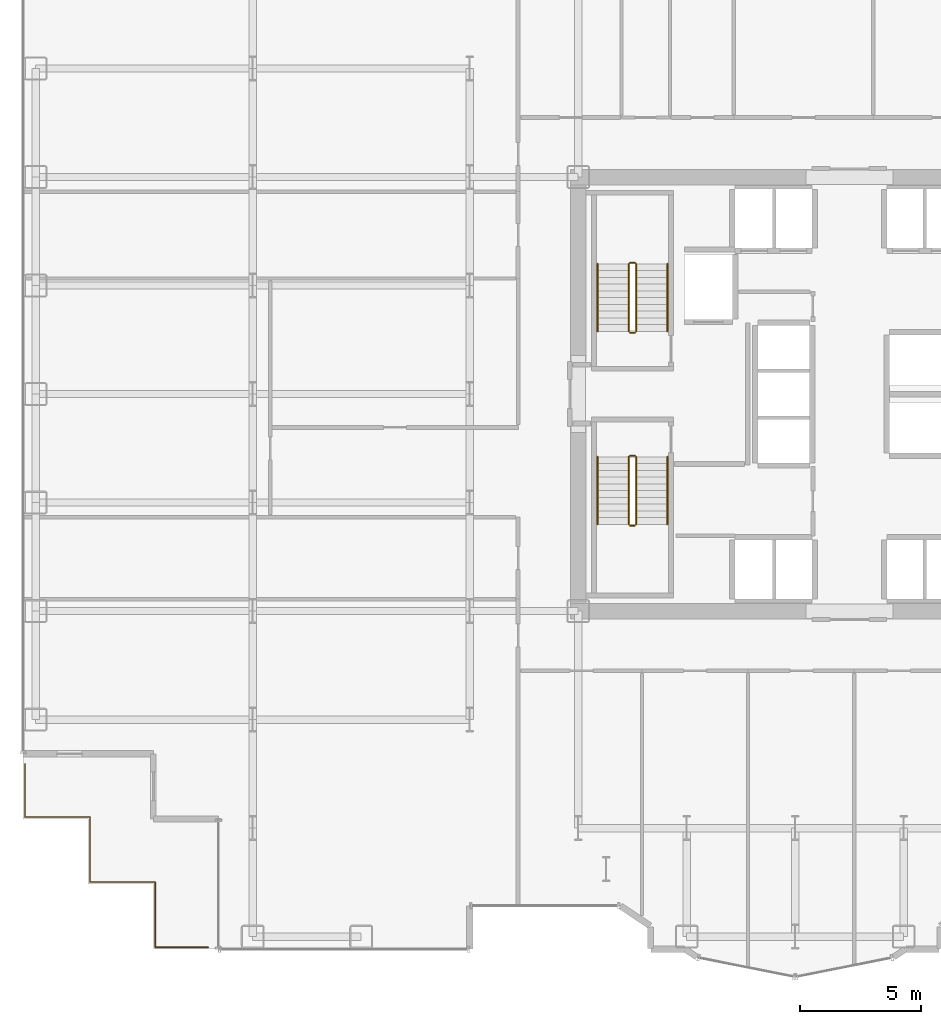
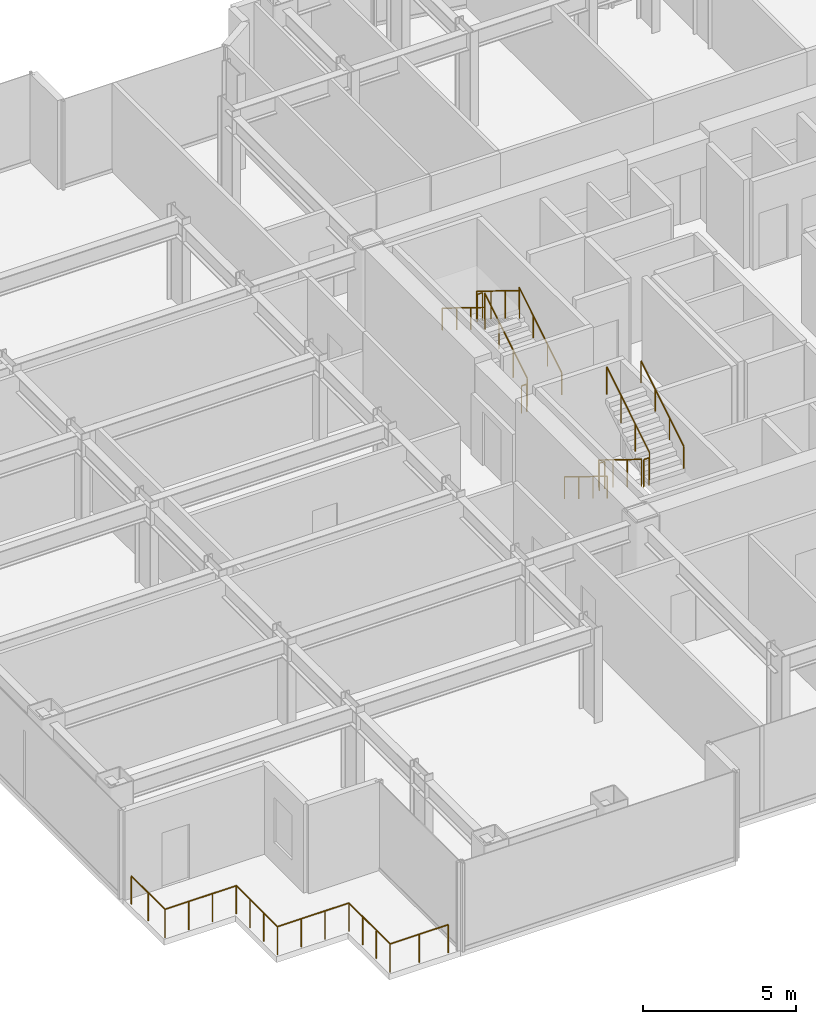
# One storey, part 26 of 27: 13 railings.
"""IFC4 building model written with IfcOpenShell, lengths in metres."""

from ifc_helpers import new_model, si_unit, direction, frame, origin, origin_2d, place, context, subcontext, project, spatial, circle, extrude, material, type_object, element, save


model = new_model("IFC4")

# Units and contexts
model_context = context("Model", 3, precision=1e-05, world=origin(), true_north=direction((0.0, 1.0)))
body_context = subcontext(model_context, "Body", "Model", "MODEL_VIEW")
ifc_project = project(units=[si_unit("LENGTHUNIT", "METRE"), si_unit("AREAUNIT", "SQUARE_METRE"), si_unit("VOLUMEUNIT", "CUBIC_METRE"), si_unit("PLANEANGLEUNIT", "RADIAN"), si_unit("MASSUNIT", "GRAM", prefix="KILO")], contexts=[model_context])

# Site, building, storey
site_placement = place(None, origin())
site = spatial("IfcSite", under=ifc_project, at=site_placement, CompositionType="ELEMENT")
building_placement = place(site_placement, origin())
building = spatial("IfcBuilding", under=site, at=building_placement, Name="Nefas-Gora Pilgrimage Tower", CompositionType="ELEMENT")
storey_placement = place(building_placement, frame((0.0, 0.0, 48.199951171875)))
storey = spatial("IfcBuildingStorey", under=building, at=storey_placement, Name="L10", CompositionType="ELEMENT", Elevation=48.199951171875)

# Railings
ifc_material_1 = material(Name="Painted galvanised steel", Category="steel")
railing_type_1 = type_object("IfcRailingType", Name="RLG-STR-GUARD-1100", PredefinedType="GUARDRAIL", material=ifc_material_1)
railing_1_placement = place(storey_placement, frame((-8.85009765625, 2.60009765625, 0.1728515625)))
element("IfcRailing", 1, at=railing_1_placement, inside=storey, type_object=railing_type_1, Name="L10 ST-01 stair guard 1", PredefinedType="GUARDRAIL", context=body_context, shape_type="SweptSolid", body=[
    extrude(circle(Radius=0.02392578125, at=origin_2d()), frame((0.0, 0.0, 1.09619140625), z_axis=(0.0, 0.851069175582, 0.525053576669), x_axis=(-1.0, 0.0, 0.0)), (0.0, 0.0, 1.0), 3.289794921875),
    extrude(circle(Radius=0.02099609375, at=origin_2d()), origin(), (0.0, 0.0, 1.0), 1.072021484375),
    extrude(circle(Radius=0.02099609375, at=origin_2d()), frame((0.0, 0.933349609375, 0.57568359375)), (0.0, 0.0, 1.0), 1.072021484375),
    extrude(circle(Radius=0.02099609375, at=origin_2d()), frame((0.0, 1.866455078125, 1.151611328125)), (0.0, 0.0, 1.0), 1.072021484375),
    extrude(circle(Radius=0.02099609375, at=origin_2d()), frame((0.0, 2.7998046875, 1.727294921875)), (0.0, 0.0, 1.0), 1.072021484375),
])
railing_2_placement = place(storey_placement, frame((-8.89990234375, 5.449951171875, 1.900146484375)))
element("IfcRailing", 2, at=railing_2_placement, inside=storey, type_object=railing_type_1, Name="L10 ST-01 stair guard 2", PredefinedType="GUARDRAIL", context=body_context, shape_type="SweptSolid", body=[
    extrude(circle(Radius=0.02392578125, at=origin_2d()), frame((0.0, 0.0, 1.09619140625), z_axis=(-1.0, 0.0, 0.0), x_axis=(0.0, -1.0, 0.0)), (0.0, 0.0, 1.0), 0.2001953125),
    extrude(circle(Radius=0.02099609375, at=origin_2d()), origin(), (0.0, 0.0, 1.0), 1.072021484375),
    extrude(circle(Radius=0.02099609375, at=origin_2d()), frame((-0.2001953125, 0.0, 0.0)), (0.0, 0.0, 1.0), 1.072021484375),
])
railing_3_placement = place(storey_placement, frame((-9.14990234375, 5.39990234375, 2.07275390625)))
element("IfcRailing", 3, at=railing_3_placement, inside=storey, type_object=railing_type_1, Name="L10 ST-01 stair guard 3", PredefinedType="GUARDRAIL", context=body_context, shape_type="SweptSolid", body=[
    extrude(circle(Radius=0.02392578125, at=origin_2d()), frame((0.0, 0.0, 1.09619140625), z_axis=(0.0, -0.851069175582, 0.525053576669), x_axis=(1.0, 0.0, 0.0)), (0.0, 0.0, 1.0), 3.289794921875),
    extrude(circle(Radius=0.02099609375, at=origin_2d()), origin(), (0.0, 0.0, 1.0), 1.072021484375),
    extrude(circle(Radius=0.02099609375, at=origin_2d()), frame((0.0, -0.933349609375, 0.57568359375)), (0.0, 0.0, 1.0), 1.072021484375),
    extrude(circle(Radius=0.02099609375, at=origin_2d()), frame((0.0, -1.866455078125, 1.151611328125)), (0.0, 0.0, 1.0), 1.072021484375),
    extrude(circle(Radius=0.02099609375, at=origin_2d()), frame((0.0, -2.7998046875, 1.727294921875)), (0.0, 0.0, 1.0), 1.072021484375),
])
railing_4_placement = place(storey_placement, frame((-8.89990234375, 2.550048828125, 0.0)))
element("IfcRailing", 4, at=railing_4_placement, inside=storey, type_object=railing_type_1, Name="L10 ST-01 stair guard 4", PredefinedType="GUARDRAIL", context=body_context, shape_type="SweptSolid", body=[
    extrude(circle(Radius=0.02392578125, at=origin_2d()), frame((0.0, 0.0, 1.09619140625), z_axis=(-1.0, 0.0, 0.0), x_axis=(0.0, -1.0, 0.0)), (0.0, 0.0, 1.0), 0.2001953125),
    extrude(circle(Radius=0.02099609375, at=origin_2d()), origin(), (0.0, 0.0, 1.0), 1.072021484375),
    extrude(circle(Radius=0.02099609375, at=origin_2d()), frame((-0.2001953125, 0.0, 0.0)), (0.0, 0.0, 1.0), 1.072021484375),
])
railing_5_placement = place(storey_placement, frame((-9.14990234375, -2.60009765625, 0.1728515625)))
element("IfcRailing", 5, at=railing_5_placement, inside=storey, type_object=railing_type_1, Name="L10 ST-03 stair guard 1", PredefinedType="GUARDRAIL", context=body_context, shape_type="SweptSolid", body=[
    extrude(circle(Radius=0.02392578125, at=origin_2d()), frame((0.0, 0.0, 1.09619140625), z_axis=(0.0, -0.851069175582, 0.525053576669), x_axis=(1.0, 0.0, 0.0)), (0.0, 0.0, 1.0), 3.289794921875),
    extrude(circle(Radius=0.02099609375, at=origin_2d()), origin(), (0.0, 0.0, 1.0), 1.072021484375),
    extrude(circle(Radius=0.02099609375, at=origin_2d()), frame((0.0, -0.933349609375, 0.57568359375)), (0.0, 0.0, 1.0), 1.072021484375),
    extrude(circle(Radius=0.02099609375, at=origin_2d()), frame((0.0, -1.866455078125, 1.151611328125)), (0.0, 0.0, 1.0), 1.072021484375),
    extrude(circle(Radius=0.02099609375, at=origin_2d()), frame((0.0, -2.7998046875, 1.727294921875)), (0.0, 0.0, 1.0), 1.072021484375),
])
railing_6_placement = place(storey_placement, frame((-9.10009765625, -5.449951171875, 1.900146484375)))
element("IfcRailing", 6, at=railing_6_placement, inside=storey, type_object=railing_type_1, Name="L10 ST-03 stair guard 2", PredefinedType="GUARDRAIL", context=body_context, shape_type="SweptSolid", body=[
    extrude(circle(Radius=0.02392578125, at=origin_2d()), frame((0.0, 0.0, 1.09619140625), z_axis=(1.0, 0.0, 0.0), x_axis=(0.0, 1.0, 0.0)), (0.0, 0.0, 1.0), 0.2001953125),
    extrude(circle(Radius=0.02099609375, at=origin_2d()), origin(), (0.0, 0.0, 1.0), 1.072021484375),
    extrude(circle(Radius=0.02099609375, at=origin_2d()), frame((0.2001953125, 0.0, 0.0)), (0.0, 0.0, 1.0), 1.072021484375),
])
railing_7_placement = place(storey_placement, frame((-8.85009765625, -5.39990234375, 2.07275390625)))
element("IfcRailing", 7, at=railing_7_placement, inside=storey, type_object=railing_type_1, Name="L10 ST-03 stair guard 3", PredefinedType="GUARDRAIL", context=body_context, shape_type="SweptSolid", body=[
    extrude(circle(Radius=0.02392578125, at=origin_2d()), frame((0.0, 0.0, 1.09619140625), z_axis=(0.0, 0.851069175582, 0.525053576669), x_axis=(-1.0, 0.0, 0.0)), (0.0, 0.0, 1.0), 3.289794921875),
    extrude(circle(Radius=0.02099609375, at=origin_2d()), origin(), (0.0, 0.0, 1.0), 1.072021484375),
    extrude(circle(Radius=0.02099609375, at=origin_2d()), frame((0.0, 0.933349609375, 0.57568359375)), (0.0, 0.0, 1.0), 1.072021484375),
    extrude(circle(Radius=0.02099609375, at=origin_2d()), frame((0.0, 1.866455078125, 1.151611328125)), (0.0, 0.0, 1.0), 1.072021484375),
    extrude(circle(Radius=0.02099609375, at=origin_2d()), frame((0.0, 2.7998046875, 1.727294921875)), (0.0, 0.0, 1.0), 1.072021484375),
])
railing_8_placement = place(storey_placement, frame((-9.10009765625, -2.550048828125, 0.0)))
element("IfcRailing", 8, at=railing_8_placement, inside=storey, type_object=railing_type_1, Name="L10 ST-03 stair guard 4", PredefinedType="GUARDRAIL", context=body_context, shape_type="SweptSolid", body=[
    extrude(circle(Radius=0.02392578125, at=origin_2d()), frame((0.0, 0.0, 1.09619140625), z_axis=(1.0, 0.0, 0.0), x_axis=(0.0, 1.0, 0.0)), (0.0, 0.0, 1.0), 0.2001953125),
    extrude(circle(Radius=0.02099609375, at=origin_2d()), origin(), (0.0, 0.0, 1.0), 1.072021484375),
    extrude(circle(Radius=0.02099609375, at=origin_2d()), frame((0.2001953125, 0.0, 0.0)), (0.0, 0.0, 1.0), 1.072021484375),
])
ifc_material_2 = material(Name="Brushed stainless steel", Category="steel")
railing_type_2 = type_object("IfcRailingType", Name="RLG-STR-HAND-900", PredefinedType="HANDRAIL", material=ifc_material_2)
railing_9_placement = place(storey_placement, frame((-7.550048828125, 2.60009765625, 0.1728515625)))
element("IfcRailing", 9, at=railing_9_placement, inside=storey, type_object=railing_type_2, Name="L10 ST-01 stair handrail 1", PredefinedType="HANDRAIL", context=body_context, shape_type="SweptSolid", body=[
    extrude(circle(Radius=0.02392578125, at=origin_2d()), frame((0.0, 0.0, 0.8759765625), z_axis=(0.0, 0.851069175582, 0.525053576669), x_axis=(-1.0, 0.0, 0.0)), (0.0, 0.0, 1.0), 3.289794921875),
    extrude(circle(Radius=0.02099609375, at=origin_2d()), origin(), (0.0, 0.0, 1.0), 0.851806640625),
    extrude(circle(Radius=0.02099609375, at=origin_2d()), frame((0.0, 0.933349609375, 0.57568359375)), (0.0, 0.0, 1.0), 0.851806640625),
    extrude(circle(Radius=0.02099609375, at=origin_2d()), frame((0.0, 1.866455078125, 1.151611328125)), (0.0, 0.0, 1.0), 0.851806640625),
    extrude(circle(Radius=0.02099609375, at=origin_2d()), frame((0.0, 2.7998046875, 1.727294921875)), (0.0, 0.0, 1.0), 0.851806640625),
])
for number, where, name in (
    (10, (-10.449951171875, 5.39990234375, 2.07275390625), "L10 ST-01 stair handrail 2"),
    (11, (-10.449951171875, -2.60009765625, 0.1728515625), "L10 ST-03 stair handrail 1"),
):
    element("IfcRailing", number, at=place(storey_placement, frame(where)), inside=storey, type_object=railing_type_2, Name=name, PredefinedType="HANDRAIL", context=body_context, shape_type="SweptSolid", body=[
        extrude(circle(Radius=0.02392578125, at=origin_2d()), frame((0.0, 0.0, 0.8759765625), z_axis=(0.0, -0.851069175582, 0.525053576669), x_axis=(1.0, 0.0, 0.0)), (0.0, 0.0, 1.0), 3.289794921875),
        extrude(circle(Radius=0.02099609375, at=origin_2d()), origin(), (0.0, 0.0, 1.0), 0.851806640625),
        extrude(circle(Radius=0.02099609375, at=origin_2d()), frame((0.0, -0.933349609375, 0.57568359375)), (0.0, 0.0, 1.0), 0.851806640625),
        extrude(circle(Radius=0.02099609375, at=origin_2d()), frame((0.0, -1.866455078125, 1.151611328125)), (0.0, 0.0, 1.0), 0.851806640625),
        extrude(circle(Radius=0.02099609375, at=origin_2d()), frame((0.0, -2.7998046875, 1.727294921875)), (0.0, 0.0, 1.0), 0.851806640625),
    ])
railing_10_placement = place(storey_placement, frame((-7.550048828125, -5.39990234375, 2.07275390625)))
element("IfcRailing", 12, at=railing_10_placement, inside=storey, type_object=railing_type_2, Name="L10 ST-03 stair handrail 2", PredefinedType="HANDRAIL", context=body_context, shape_type="SweptSolid", body=[
    extrude(circle(Radius=0.02392578125, at=origin_2d()), frame((0.0, 0.0, 0.8759765625), z_axis=(0.0, 0.851069175582, 0.525053576669), x_axis=(-1.0, 0.0, 0.0)), (0.0, 0.0, 1.0), 3.289794921875),
    extrude(circle(Radius=0.02099609375, at=origin_2d()), origin(), (0.0, 0.0, 1.0), 0.851806640625),
    extrude(circle(Radius=0.02099609375, at=origin_2d()), frame((0.0, 0.933349609375, 0.57568359375)), (0.0, 0.0, 1.0), 0.851806640625),
    extrude(circle(Radius=0.02099609375, at=origin_2d()), frame((0.0, 1.866455078125, 1.151611328125)), (0.0, 0.0, 1.0), 0.851806640625),
    extrude(circle(Radius=0.02099609375, at=origin_2d()), frame((0.0, 2.7998046875, 1.727294921875)), (0.0, 0.0, 1.0), 0.851806640625),
])
ifc_material_3 = material(Name="Laminated safety glass and stainless steel", Category="steel")
railing_type_3 = type_object("IfcRailingType", Name="RLG-TER-1150", PredefinedType="BALUSTRADE", material=ifc_material_3)
railing_11_placement = place(storey_placement, frame((-26.590087890625, -22.93994140625, 0.0)))
element("IfcRailing", 13, at=railing_11_placement, inside=storey, type_object=railing_type_3, Name="L10 Terrace Continuous Balustrade TER-SP-SW.1", PredefinedType="BALUSTRADE", context=body_context, shape_type="SweptSolid", body=[
    extrude(circle(Radius=0.02392578125, at=origin_2d()), frame((0.0, 0.0, 1.1259765625), z_axis=(-1.0, 0.0, 0.0), x_axis=(0.0, -1.0, 0.0)), (0.0, 0.0, 1.0), 2.199951171875),
    extrude(circle(Radius=0.02392578125, at=origin_2d()), frame((-2.199951171875, 0.0, 1.1259765625), z_axis=(0.0, 1.0, 0.0), x_axis=(-1.0, 0.0, 0.0)), (0.0, 0.0, 1.0), 2.699951171875),
    extrude(circle(Radius=0.02392578125, at=origin_2d()), frame((-2.199951171875, 2.699951171875, 1.1259765625), z_axis=(-1.0, 0.0, 0.0), x_axis=(0.0, -1.0, 0.0)), (0.0, 0.0, 1.0), 2.699951171875),
    extrude(circle(Radius=0.02392578125, at=origin_2d()), frame((-4.89990234375, 2.699951171875, 1.1259765625), z_axis=(0.0, 1.0, 0.0), x_axis=(-1.0, 0.0, 0.0)), (0.0, 0.0, 1.0), 2.699951171875),
    extrude(circle(Radius=0.02392578125, at=origin_2d()), frame((-4.89990234375, 5.39990234375, 1.1259765625), z_axis=(-1.0, 0.0, 0.0), x_axis=(0.0, -1.0, 0.0)), (0.0, 0.0, 1.0), 2.699951171875),
    extrude(circle(Radius=0.02392578125, at=origin_2d()), frame((-7.599853515625, 5.39990234375, 1.1259765625), z_axis=(0.0, 1.0, 0.0), x_axis=(-1.0, 0.0, 0.0)), (0.0, 0.0, 1.0), 2.199951171875),
    extrude(circle(Radius=0.02099609375, at=origin_2d()), origin(), (0.0, 0.0, 1.0), 1.101806640625),
    extrude(circle(Radius=0.02099609375, at=origin_2d()), frame((-1.10009765625, 0.0, 0.0)), (0.0, 0.0, 1.0), 1.101806640625),
    extrude(circle(Radius=0.02099609375, at=origin_2d()), frame((-2.199951171875, 0.0, 0.0)), (0.0, 0.0, 1.0), 1.101806640625),
    extrude(circle(Radius=0.02099609375, at=origin_2d()), frame((-2.199951171875, 0.89990234375, 0.0)), (0.0, 0.0, 1.0), 1.101806640625),
    extrude(circle(Radius=0.02099609375, at=origin_2d()), frame((-2.199951171875, 1.800048828125, 0.0)), (0.0, 0.0, 1.0), 1.101806640625),
    extrude(circle(Radius=0.02099609375, at=origin_2d()), frame((-2.199951171875, 2.699951171875, 0.0)), (0.0, 0.0, 1.0), 1.101806640625),
    extrude(circle(Radius=0.02099609375, at=origin_2d()), frame((-3.099853515625, 2.699951171875, 0.0)), (0.0, 0.0, 1.0), 1.101806640625),
    extrude(circle(Radius=0.02099609375, at=origin_2d()), frame((-4.0, 2.699951171875, 0.0)), (0.0, 0.0, 1.0), 1.101806640625),
    extrude(circle(Radius=0.02099609375, at=origin_2d()), frame((-4.89990234375, 2.699951171875, 0.0)), (0.0, 0.0, 1.0), 1.101806640625),
    extrude(circle(Radius=0.02099609375, at=origin_2d()), frame((-4.89990234375, 3.599853515625, 0.0)), (0.0, 0.0, 1.0), 1.101806640625),
    extrude(circle(Radius=0.02099609375, at=origin_2d()), frame((-4.89990234375, 4.5, 0.0)), (0.0, 0.0, 1.0), 1.101806640625),
    extrude(circle(Radius=0.02099609375, at=origin_2d()), frame((-4.89990234375, 5.39990234375, 0.0)), (0.0, 0.0, 1.0), 1.101806640625),
    extrude(circle(Radius=0.02099609375, at=origin_2d()), frame((-5.7998046875, 5.39990234375, 0.0)), (0.0, 0.0, 1.0), 1.101806640625),
    extrude(circle(Radius=0.02099609375, at=origin_2d()), frame((-6.699951171875, 5.39990234375, 0.0)), (0.0, 0.0, 1.0), 1.101806640625),
    extrude(circle(Radius=0.02099609375, at=origin_2d()), frame((-7.599853515625, 5.39990234375, 0.0)), (0.0, 0.0, 1.0), 1.101806640625),
    extrude(circle(Radius=0.02099609375, at=origin_2d()), frame((-7.599853515625, 6.5, 0.0)), (0.0, 0.0, 1.0), 1.101806640625),
    extrude(circle(Radius=0.02099609375, at=origin_2d()), frame((-7.599853515625, 7.599853515625, 0.0)), (0.0, 0.0, 1.0), 1.101806640625),
])

save(model, "model.ifc")
